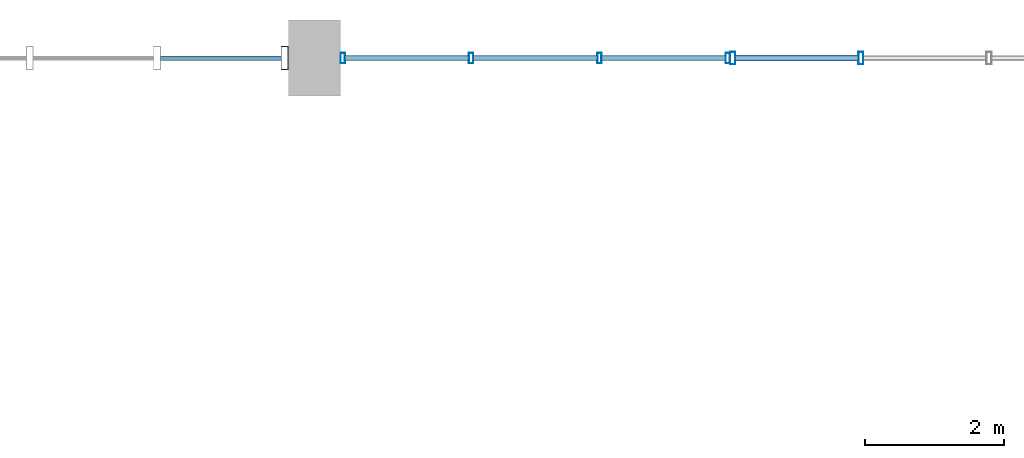
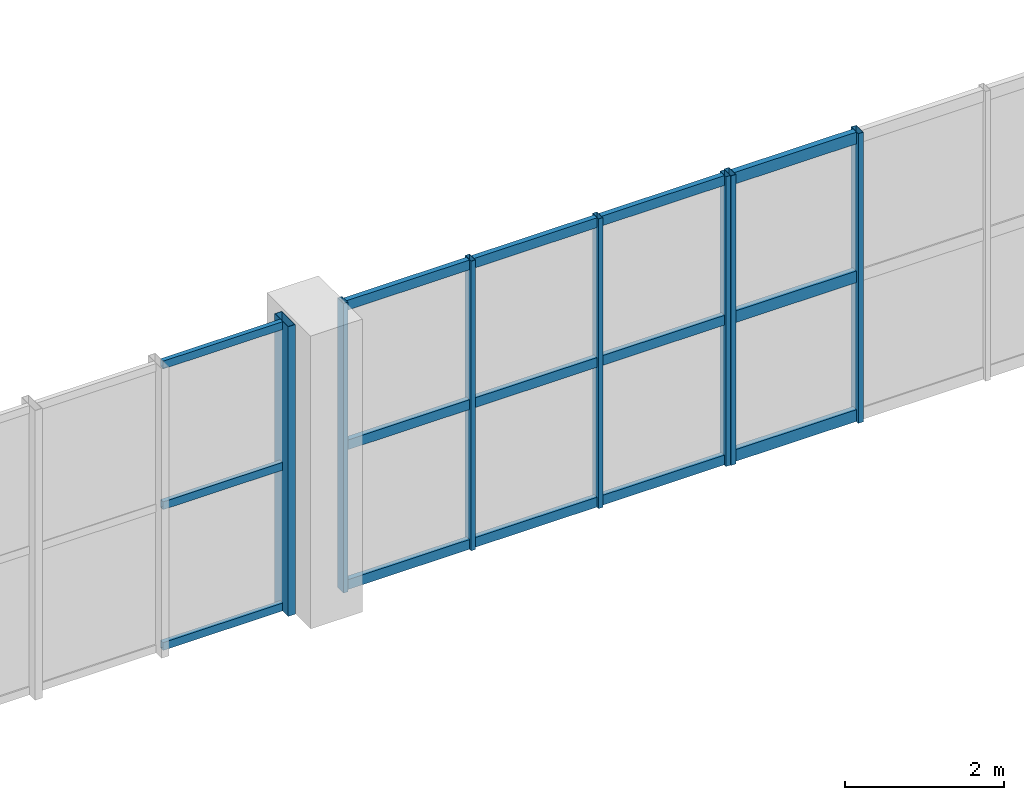
# One storey, part 51 of 80: 22 members, 3 elements without a shape of their own.
"""IFC4 building model written with IfcOpenShell, lengths in metres."""

from ifc_helpers import new_model, si_unit, direction, frame, origin, origin_2d, place, context, subcontext, project, spatial, hollow_rectangle, extrude, material, layer, layer_set, material_profile, profile_set, type_object, element, aggregate, save


model = new_model("IFC4")

# Units and contexts
model_context = context("Model", 3, precision=1e-05, world=origin(), true_north=direction((0.0, 1.0)))
body_context = subcontext(model_context, "Body", "Model", "MODEL_VIEW")
ifc_project = project(units=[si_unit("LENGTHUNIT", "METRE"), si_unit("AREAUNIT", "SQUARE_METRE"), si_unit("VOLUMEUNIT", "CUBIC_METRE"), si_unit("PLANEANGLEUNIT", "RADIAN"), si_unit("MASSUNIT", "GRAM", prefix="KILO"), si_unit("POWERUNIT", "WATT"), si_unit("THERMODYNAMICTEMPERATUREUNIT", "KELVIN")], contexts=[model_context])

# Site, building, storey
site_placement = place(None, origin())
site = spatial("IfcSite", under=ifc_project, at=site_placement, CompositionType="ELEMENT")
building_placement = place(site_placement, origin())
building = spatial("IfcBuilding", under=site, at=building_placement, Name="Kelmbourne Parkland Aquatics Centre", CompositionType="ELEMENT")
storey_placement = place(building_placement, frame((0.0, 0.0, 10.199951171875)))
storey = spatial("IfcBuildingStorey", under=building, at=storey_placement, Name="L02", CompositionType="ELEMENT", Elevation=10.199951171875)

# Curtain wall, members
ifc_material = material(Name="Thermally broken anodised aluminium framing", Category="aluminium")
ifc_layer_1 = layer(ifc_material, 0.179931640625)
ifc_layer_set_1 = layer_set([ifc_layer_1], Name="Thermally broken anodised aluminium framing")
curtain_wall_type_1 = type_object("IfcCurtainWallType", Name="CW-01", PredefinedType="NOTDEFINED", material=ifc_layer_set_1)
curtain_wall_1_placement = place(storey_placement, origin())
curtain_wall_1 = element("IfcCurtainWall", 1, at=curtain_wall_1_placement, inside=storey, type_object=curtain_wall_type_1, Name="Wave-hall clerestory curtain wall CW-L02-145", PredefinedType="NOTDEFINED")
ifc_material_profile_1 = material_profile(ifc_material, hollow_rectangle(XDim=0.06494140625, YDim=0.14990234375, WallThickness=0.00390625, at=origin_2d()), Name="CW-M 65x150")
ifc_profile_set_1 = profile_set([ifc_material_profile_1], Name="Thermally broken anodised aluminium framing")
member_type_1 = type_object("IfcMemberType", Name="MB-MUL-1", PredefinedType="MULLION", material=ifc_profile_set_1)
member_1_placement = place(storey_placement, frame((152.409423828125, 114.800048828125, 0.0), z_axis=(0.0, 0.0, 1.0), x_axis=(1.0, 0.0, 0.0)))
member_1 = element("IfcMember", 2, at=member_1_placement, type_object=member_type_1, Name="CW-L02-145 mullion 0", PredefinedType="MULLION", context=body_context, shape_type="SweptSolid", body=[
    extrude(hollow_rectangle(XDim=0.06494140625, YDim=0.14990234375, WallThickness=0.00390625, at=origin_2d()), origin(), (0.0, 0.0, 1.0), 4.449951171875),
])
member_2_placement = place(storey_placement, frame((154.26220703125, 114.800048828125, 0.0), z_axis=(0.0, 0.0, 1.0), x_axis=(1.0, 0.0, 0.0)))
member_2 = element("IfcMember", 3, at=member_2_placement, type_object=member_type_1, Name="CW-L02-145 mullion 1", PredefinedType="MULLION", context=body_context, shape_type="SweptSolid", body=[
    extrude(hollow_rectangle(XDim=0.06494140625, YDim=0.14990234375, WallThickness=0.00390625, at=origin_2d()), origin(), (0.0, 0.0, 1.0), 4.449951171875),
])
member_3_placement = place(storey_placement, frame((156.11474609375, 114.800048828125, 0.0), z_axis=(0.0, 0.0, 1.0), x_axis=(1.0, 0.0, 0.0)))
member_3 = element("IfcMember", 4, at=member_3_placement, type_object=member_type_1, Name="CW-L02-145 mullion 2", PredefinedType="MULLION", context=body_context, shape_type="SweptSolid", body=[
    extrude(hollow_rectangle(XDim=0.06494140625, YDim=0.14990234375, WallThickness=0.00390625, at=origin_2d()), origin(), (0.0, 0.0, 1.0), 4.449951171875),
])
member_4_placement = place(storey_placement, frame((157.967529296875, 114.800048828125, 0.0), z_axis=(0.0, 0.0, 1.0), x_axis=(1.0, 0.0, 0.0)))
member_4 = element("IfcMember", 5, at=member_4_placement, type_object=member_type_1, Name="CW-L02-145 mullion 3", PredefinedType="MULLION", context=body_context, shape_type="SweptSolid", body=[
    extrude(hollow_rectangle(XDim=0.06494140625, YDim=0.14990234375, WallThickness=0.00390625, at=origin_2d()), origin(), (0.0, 0.0, 1.0), 4.449951171875),
])

ifc_layer_2 = layer(ifc_material, 0.179931640625)
ifc_layer_set_2 = layer_set([ifc_layer_2], Name="Thermally broken anodised aluminium framing")
curtain_wall_type_2 = type_object("IfcCurtainWallType", Name="CW-02", PredefinedType="NOTDEFINED", material=ifc_layer_set_2)
curtain_wall_2_placement = place(storey_placement, origin())
curtain_wall_2 = element("IfcCurtainWall", 6, at=curtain_wall_2_placement, inside=storey, type_object=curtain_wall_type_2, Name="Wave-hall clerestory curtain wall CW-L02-146", PredefinedType="NOTDEFINED")
ifc_material_profile_2 = material_profile(ifc_material, hollow_rectangle(XDim=0.074951171875, YDim=0.179931640625, WallThickness=0.00439453125, at=origin_2d()), Name="CW-M 75x180")
ifc_profile_set_2 = profile_set([ifc_material_profile_2], Name="Thermally broken anodised aluminium framing")
member_type_2 = type_object("IfcMemberType", Name="MB-MUL-2", PredefinedType="MULLION", material=ifc_profile_set_2)
member_5_placement = place(storey_placement, frame((158.03759765625, 114.800048828125, 0.0), z_axis=(0.0, 0.0, 1.0), x_axis=(1.0, 0.0, 0.0)))
member_5 = element("IfcMember", 7, at=member_5_placement, type_object=member_type_2, Name="CW-L02-146 mullion 0", PredefinedType="MULLION", context=body_context, shape_type="SweptSolid", body=[
    extrude(hollow_rectangle(XDim=0.074951171875, YDim=0.179931640625, WallThickness=0.00439453125, at=origin_2d()), origin(), (0.0, 0.0, 1.0), 4.449951171875),
])
member_6_placement = place(storey_placement, frame((159.88671875, 114.800048828125, 0.0), z_axis=(0.0, 0.0, 1.0), x_axis=(1.0, 0.0, 0.0)))
member_6 = element("IfcMember", 8, at=member_6_placement, type_object=member_type_2, Name="CW-L02-146 mullion 1", PredefinedType="MULLION", context=body_context, shape_type="SweptSolid", body=[
    extrude(hollow_rectangle(XDim=0.074951171875, YDim=0.179931640625, WallThickness=0.00439453125, at=origin_2d()), origin(), (0.0, 0.0, 1.0), 4.449951171875),
])

ifc_layer_3 = layer(ifc_material, 0.179931640625)
ifc_layer_set_3 = layer_set([ifc_layer_3], Name="Thermally broken anodised aluminium framing")
curtain_wall_type_3 = type_object("IfcCurtainWallType", Name="CW-24", PredefinedType="NOTDEFINED", material=ifc_layer_set_3)
curtain_wall_3_placement = place(storey_placement, origin())
curtain_wall_3 = element("IfcCurtainWall", 9, at=curtain_wall_3_placement, inside=storey, type_object=curtain_wall_type_3, Name="Wave-hall clerestory curtain wall CW-L02-144", PredefinedType="NOTDEFINED")
ifc_material_profile_3 = material_profile(ifc_material, hollow_rectangle(XDim=0.10498046875, YDim=0.340087890625, WallThickness=0.006103515625, at=origin_2d()), Name="CW-M 105x340")
ifc_profile_set_3 = profile_set([ifc_material_profile_3], Name="Thermally broken anodised aluminium framing")
member_type_3 = type_object("IfcMemberType", Name="MB-MUL-5", PredefinedType="MULLION", material=ifc_profile_set_3)
member_7_placement = place(storey_placement, frame((151.570556640625, 114.800048828125, 0.0), z_axis=(0.0, 0.0, 1.0), x_axis=(1.0, 0.0, 0.0)))
member_7 = element("IfcMember", 10, at=member_7_placement, type_object=member_type_3, Name="CW-L02-144 mullion 3", PredefinedType="MULLION", context=body_context, shape_type="SweptSolid", body=[
    extrude(hollow_rectangle(XDim=0.10498046875, YDim=0.340087890625, WallThickness=0.006103515625, at=origin_2d()), origin(), (0.0, 0.0, 1.0), 4.449951171875),
])
ifc_material_profile_4 = material_profile(ifc_material, hollow_rectangle(XDim=0.06494140625, YDim=0.1201171875, WallThickness=0.00341796875, at=origin_2d()), Name="CW-T 65x120")
ifc_profile_set_4 = profile_set([ifc_material_profile_4], Name="Thermally broken anodised aluminium framing")
member_type_4 = type_object("IfcMemberType", Name="MB-TRN-1", PredefinedType="USERDEFINED", material=ifc_profile_set_4)
member_8_placement = place(storey_placement, frame((149.77978515625, 114.800048828125, 0.06298828125), z_axis=(1.0, 0.0, 0.0), x_axis=(0.0, 1.0, 0.0)))
member_8 = element("IfcMember", 11, at=member_8_placement, type_object=member_type_4, Name="CW-L02-144 transom 0-2", ObjectType="TRANSOM", PredefinedType="USERDEFINED", context=body_context, shape_type="SweptSolid", body=[
    extrude(hollow_rectangle(XDim=0.06494140625, YDim=0.1201171875, WallThickness=0.00341796875, at=origin_2d()), origin(), (0.0, 0.0, 1.0), 1.7421875),
])
member_9_placement = place(storey_placement, frame((149.77978515625, 114.800048828125, 2.22509765625), z_axis=(1.0, 0.0, 0.0), x_axis=(0.0, 1.0, 0.0)))
member_9 = element("IfcMember", 12, at=member_9_placement, type_object=member_type_4, Name="CW-L02-144 transom 1-2", ObjectType="TRANSOM", PredefinedType="USERDEFINED", context=body_context, shape_type="SweptSolid", body=[
    extrude(hollow_rectangle(XDim=0.06494140625, YDim=0.1201171875, WallThickness=0.00341796875, at=origin_2d()), origin(), (0.0, 0.0, 1.0), 1.7421875),
])
member_10_placement = place(storey_placement, frame((149.77978515625, 114.800048828125, 4.386962890625), z_axis=(1.0, 0.0, 0.0), x_axis=(0.0, 1.0, 0.0)))
member_10 = element("IfcMember", 13, at=member_10_placement, type_object=member_type_4, Name="CW-L02-144 transom 2-2", ObjectType="TRANSOM", PredefinedType="USERDEFINED", context=body_context, shape_type="SweptSolid", body=[
    extrude(hollow_rectangle(XDim=0.06494140625, YDim=0.1201171875, WallThickness=0.00341796875, at=origin_2d()), origin(), (0.0, 0.0, 1.0), 1.7421875),
])
aggregate(curtain_wall_3, [member_7, member_8, member_9, member_10])

# Member
ifc_material_profile_5 = material_profile(ifc_material, hollow_rectangle(XDim=0.074951171875, YDim=0.14990234375, WallThickness=0.00390625, at=origin_2d()), Name="CW-T 75x150")
ifc_profile_set_5 = profile_set([ifc_material_profile_5], Name="Thermally broken anodised aluminium framing")
member_type_5 = type_object("IfcMemberType", Name="MB-TRN-2", PredefinedType="USERDEFINED", material=ifc_profile_set_5)
member_11_placement = place(storey_placement, frame((152.43798828125, 114.800048828125, 0.078125), z_axis=(1.0, 0.0, 0.0), x_axis=(0.0, 1.0, 0.0)))
member_11 = element("IfcMember", 14, at=member_11_placement, type_object=member_type_5, Name="CW-L02-145 transom 0-0", ObjectType="TRANSOM", PredefinedType="USERDEFINED", context=body_context, shape_type="SweptSolid", body=[
    extrude(hollow_rectangle(XDim=0.074951171875, YDim=0.14990234375, WallThickness=0.00390625, at=origin_2d()), origin(), (0.0, 0.0, 1.0), 1.795654296875),
])

member_12_placement = place(storey_placement, frame((154.290771484375, 114.800048828125, 0.078125), z_axis=(1.0, 0.0, 0.0), x_axis=(0.0, 1.0, 0.0)))
member_12 = element("IfcMember", 15, at=member_12_placement, type_object=member_type_5, Name="CW-L02-145 transom 0-1", ObjectType="TRANSOM", PredefinedType="USERDEFINED", context=body_context, shape_type="SweptSolid", body=[
    extrude(hollow_rectangle(XDim=0.074951171875, YDim=0.14990234375, WallThickness=0.00390625, at=origin_2d()), origin(), (0.0, 0.0, 1.0), 1.79541015625),
])

member_13_placement = place(storey_placement, frame((156.143310546875, 114.800048828125, 0.078125), z_axis=(1.0, 0.0, 0.0), x_axis=(0.0, 1.0, 0.0)))
member_13 = element("IfcMember", 16, at=member_13_placement, type_object=member_type_5, Name="CW-L02-145 transom 0-2", ObjectType="TRANSOM", PredefinedType="USERDEFINED", context=body_context, shape_type="SweptSolid", body=[
    extrude(hollow_rectangle(XDim=0.074951171875, YDim=0.14990234375, WallThickness=0.00390625, at=origin_2d()), origin(), (0.0, 0.0, 1.0), 1.795654296875),
])

member_14_placement = place(storey_placement, frame((152.43798828125, 114.800048828125, 2.22509765625), z_axis=(1.0, 0.0, 0.0), x_axis=(0.0, 1.0, 0.0)))
member_14 = element("IfcMember", 17, at=member_14_placement, type_object=member_type_5, Name="CW-L02-145 transom 1-0", ObjectType="TRANSOM", PredefinedType="USERDEFINED", context=body_context, shape_type="SweptSolid", body=[
    extrude(hollow_rectangle(XDim=0.074951171875, YDim=0.14990234375, WallThickness=0.00390625, at=origin_2d()), origin(), (0.0, 0.0, 1.0), 1.795654296875),
])

member_15_placement = place(storey_placement, frame((154.290771484375, 114.800048828125, 2.22509765625), z_axis=(1.0, 0.0, 0.0), x_axis=(0.0, 1.0, 0.0)))
member_15 = element("IfcMember", 18, at=member_15_placement, type_object=member_type_5, Name="CW-L02-145 transom 1-1", ObjectType="TRANSOM", PredefinedType="USERDEFINED", context=body_context, shape_type="SweptSolid", body=[
    extrude(hollow_rectangle(XDim=0.074951171875, YDim=0.14990234375, WallThickness=0.00390625, at=origin_2d()), origin(), (0.0, 0.0, 1.0), 1.79541015625),
])

member_16_placement = place(storey_placement, frame((156.143310546875, 114.800048828125, 2.22509765625), z_axis=(1.0, 0.0, 0.0), x_axis=(0.0, 1.0, 0.0)))
member_16 = element("IfcMember", 19, at=member_16_placement, type_object=member_type_5, Name="CW-L02-145 transom 1-2", ObjectType="TRANSOM", PredefinedType="USERDEFINED", context=body_context, shape_type="SweptSolid", body=[
    extrude(hollow_rectangle(XDim=0.074951171875, YDim=0.14990234375, WallThickness=0.00390625, at=origin_2d()), origin(), (0.0, 0.0, 1.0), 1.795654296875),
])

member_17_placement = place(storey_placement, frame((152.43798828125, 114.800048828125, 4.3720703125), z_axis=(1.0, 0.0, 0.0), x_axis=(0.0, 1.0, 0.0)))
member_17 = element("IfcMember", 20, at=member_17_placement, type_object=member_type_5, Name="CW-L02-145 transom 2-0", ObjectType="TRANSOM", PredefinedType="USERDEFINED", context=body_context, shape_type="SweptSolid", body=[
    extrude(hollow_rectangle(XDim=0.074951171875, YDim=0.14990234375, WallThickness=0.00390625, at=origin_2d()), origin(), (0.0, 0.0, 1.0), 1.795654296875),
])

member_18_placement = place(storey_placement, frame((154.290771484375, 114.800048828125, 4.3720703125), z_axis=(1.0, 0.0, 0.0), x_axis=(0.0, 1.0, 0.0)))
member_18 = element("IfcMember", 21, at=member_18_placement, type_object=member_type_5, Name="CW-L02-145 transom 2-1", ObjectType="TRANSOM", PredefinedType="USERDEFINED", context=body_context, shape_type="SweptSolid", body=[
    extrude(hollow_rectangle(XDim=0.074951171875, YDim=0.14990234375, WallThickness=0.00390625, at=origin_2d()), origin(), (0.0, 0.0, 1.0), 1.79541015625),
])

member_19_placement = place(storey_placement, frame((156.143310546875, 114.800048828125, 4.3720703125), z_axis=(1.0, 0.0, 0.0), x_axis=(0.0, 1.0, 0.0)))
member_19 = element("IfcMember", 22, at=member_19_placement, type_object=member_type_5, Name="CW-L02-145 transom 2-2", ObjectType="TRANSOM", PredefinedType="USERDEFINED", context=body_context, shape_type="SweptSolid", body=[
    extrude(hollow_rectangle(XDim=0.074951171875, YDim=0.14990234375, WallThickness=0.00390625, at=origin_2d()), origin(), (0.0, 0.0, 1.0), 1.795654296875),
])

aggregate(curtain_wall_1, [member_1, member_2, member_3, member_4, member_11, member_12, member_13, member_14, member_15, member_16, member_17, member_18, member_19])

ifc_material_profile_6 = material_profile(ifc_material, hollow_rectangle(XDim=0.0849609375, YDim=0.179931640625, WallThickness=0.00439453125, at=origin_2d()), Name="CW-T 85x180")
ifc_profile_set_6 = profile_set([ifc_material_profile_6], Name="Thermally broken anodised aluminium framing")
member_type_6 = type_object("IfcMemberType", Name="MB-TRN-3", PredefinedType="USERDEFINED", material=ifc_profile_set_6)
member_20_placement = place(storey_placement, frame((158.071044921875, 114.800048828125, 0.093017578125), z_axis=(1.0, 0.0, 0.0), x_axis=(0.0, 1.0, 0.0)))
member_20 = element("IfcMember", 23, at=member_20_placement, type_object=member_type_6, Name="CW-L02-146 transom 0-0", ObjectType="TRANSOM", PredefinedType="USERDEFINED", context=body_context, shape_type="SweptSolid", body=[
    extrude(hollow_rectangle(XDim=0.0849609375, YDim=0.179931640625, WallThickness=0.00439453125, at=origin_2d()), origin(), (0.0, 0.0, 1.0), 1.7822265625),
])

member_21_placement = place(storey_placement, frame((158.071044921875, 114.800048828125, 2.22509765625), z_axis=(1.0, 0.0, 0.0), x_axis=(0.0, 1.0, 0.0)))
member_21 = element("IfcMember", 24, at=member_21_placement, type_object=member_type_6, Name="CW-L02-146 transom 1-0", ObjectType="TRANSOM", PredefinedType="USERDEFINED", context=body_context, shape_type="SweptSolid", body=[
    extrude(hollow_rectangle(XDim=0.0849609375, YDim=0.179931640625, WallThickness=0.00439453125, at=origin_2d()), origin(), (0.0, 0.0, 1.0), 1.7822265625),
])

member_22_placement = place(storey_placement, frame((158.071044921875, 114.800048828125, 4.35693359375), z_axis=(1.0, 0.0, 0.0), x_axis=(0.0, 1.0, 0.0)))
member_22 = element("IfcMember", 25, at=member_22_placement, type_object=member_type_6, Name="CW-L02-146 transom 2-0", ObjectType="TRANSOM", PredefinedType="USERDEFINED", context=body_context, shape_type="SweptSolid", body=[
    extrude(hollow_rectangle(XDim=0.0849609375, YDim=0.179931640625, WallThickness=0.00439453125, at=origin_2d()), origin(), (0.0, 0.0, 1.0), 1.7822265625),
])

aggregate(curtain_wall_2, [member_5, member_6, member_20, member_21, member_22])

save(model, "model.ifc")
